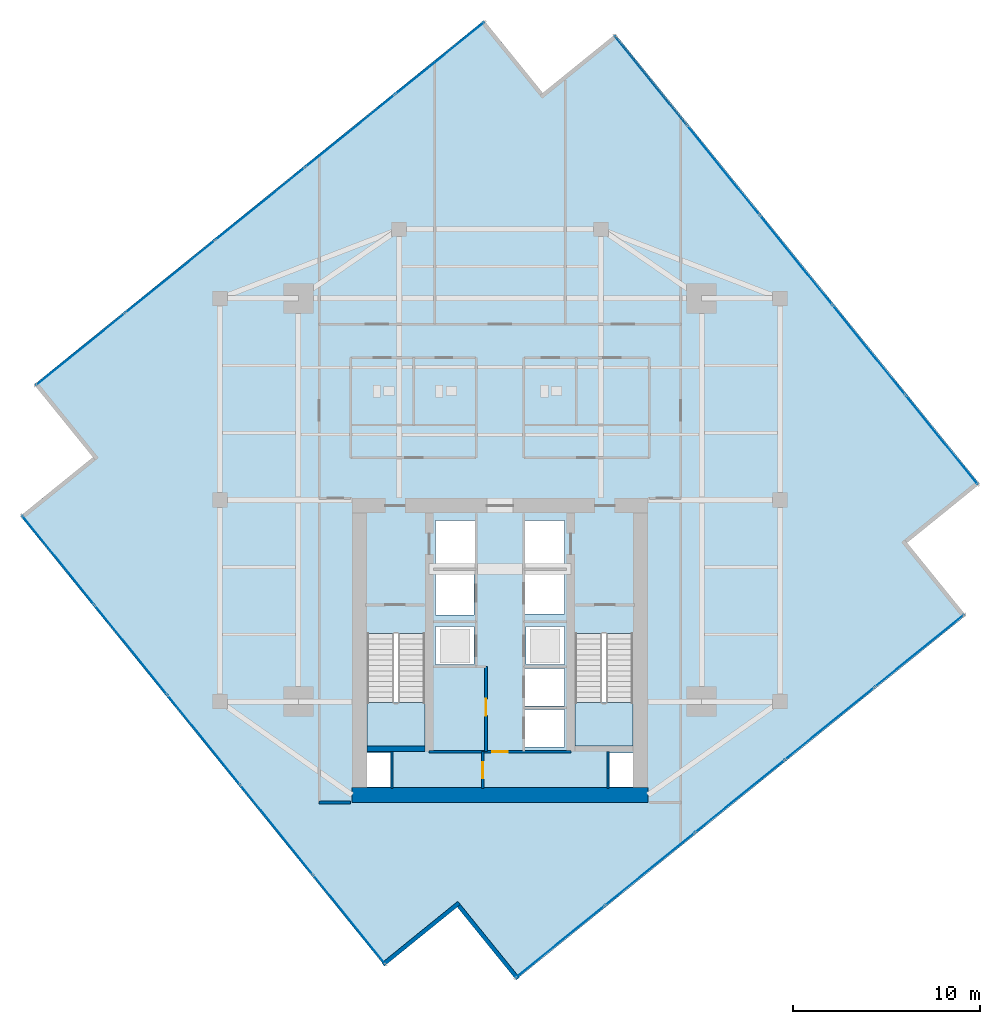
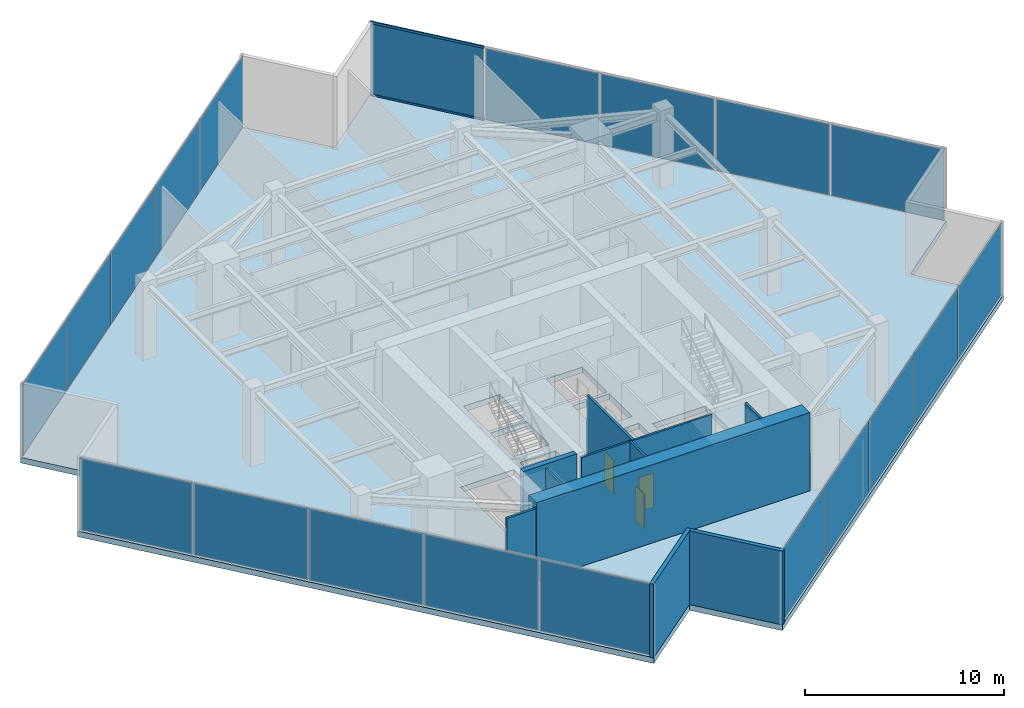
# One storey, part 17 of 22: 20 plates, 10 walls, 3 doors, 3 slabs, 2 members, 3 openings, 6 elements without a shape of their own.
"""IFC4 building model written with IfcOpenShell, lengths in metres."""

from ifc_helpers import new_model, si_unit, direction, frame, frame_2d, origin, origin_2d, place, context, subcontext, project, spatial, polyline, rectangle, hollow_rectangle, outline, extrude, source, transform, mapped, material, layer, layer_set, material_profile, profile_set, type_object, type_shapes, element, fill, aggregate, save


model = new_model("IFC4")

# Units and contexts
model_context = context("Model", 3, precision=1e-05, world=origin(), true_north=direction((0.0, 1.0)))
body_context = subcontext(model_context, "Body", "Model", "MODEL_VIEW")
ifc_project = project(units=[si_unit("LENGTHUNIT", "METRE"), si_unit("AREAUNIT", "SQUARE_METRE"), si_unit("VOLUMEUNIT", "CUBIC_METRE"), si_unit("PLANEANGLEUNIT", "RADIAN"), si_unit("MASSUNIT", "GRAM", prefix="KILO")], contexts=[model_context])

# Site, building, storey
site_placement = place(None, origin())
site = spatial("IfcSite", under=ifc_project, at=site_placement, CompositionType="ELEMENT")
building_placement = place(site_placement, origin())
building = spatial("IfcBuilding", under=site, at=building_placement, Name="Krantzveldt Concourse Tower", CompositionType="ELEMENT")
storey_placement = place(building_placement, frame((0.0, 0.0, 262.60009765625)))
storey = spatial("IfcBuildingStorey", under=building, at=storey_placement, Name="L64", CompositionType="ELEMENT", Elevation=262.60009765625)

# Curtain wall, members
ifc_material_1 = material(Name="Anodised aluminium 6063-T6", Category="aluminium")
curtain_wall_type = type_object("IfcCurtainWallType", Name="CW5", PredefinedType="USERDEFINED", material=ifc_material_1)
curtain_wall_1_placement = place(storey_placement, origin())
curtain_wall_1 = element("IfcCurtainWall", 1, at=curtain_wall_1_placement, inside=storey, type_object=curtain_wall_type, Name="CW-L64-F10", ObjectType="UNITISED CURTAIN WALL", PredefinedType="USERDEFINED")
ifc_material_profile = material_profile(ifc_material_1, hollow_rectangle(XDim=0.070068359375, YDim=0.139892578125, WallThickness=0.0048828125, at=origin_2d()), Name="Anodised aluminium 6063-T6", Category="aluminium")
ifc_profile_set = profile_set([ifc_material_profile], Name="Anodised aluminium 6063-T6 - ALU-TRAN 140x70x5")
member_type = type_object("IfcMemberType", Name="CW-TRN-150", PredefinedType="USERDEFINED", material=ifc_profile_set)
shared_shape_1 = source(origin(), body_context, "Body", "SweptSolid", [
    extrude(hollow_rectangle(XDim=0.070068359375, YDim=0.139892578125, WallThickness=0.0048828125, at=origin_2d()), origin(), (0.0, 0.0, 1.0), 6.094970703125),
])
type_shapes(member_type, [shared_shape_1])
member_1_placement = place(storey_placement, frame((45.98681640625, 46.799072265625, 0.034912109375), z_axis=(-0.629309993119, 0.77715438142, 0.0), x_axis=(-0.77715438142, -0.629309993119, 0.0)))
member_1 = element("IfcMember", 2, at=member_1_placement, type_object=member_type, Name="CW-SKY transom 5.1", ObjectType="TRANSOM", PredefinedType="USERDEFINED", context=body_context, shape_type="MappedRepresentation", body=[
    mapped(shared_shape_1, transform((0.0, 0.0, 0.0), x_axis=(1.0, 0.0, 0.0), y_axis=(0.0, 1.0, 0.0), z_axis=(0.0, 0.0, 1.0), scale=1.0)),
])
member_2_placement = place(storey_placement, frame((45.98681640625, 46.799072265625, 4.48486328125), z_axis=(-0.629309993119, 0.77715438142, 0.0), x_axis=(-0.77715438142, -0.629309993119, 0.0)))
member_2 = element("IfcMember", 3, at=member_2_placement, type_object=member_type, Name="CW-SKY transom 5.2", ObjectType="TRANSOM", PredefinedType="USERDEFINED", context=body_context, shape_type="MappedRepresentation", body=[
    mapped(shared_shape_1, transform((0.0, 0.0, 0.0), x_axis=(1.0, 0.0, 0.0), y_axis=(0.0, 1.0, 0.0), z_axis=(0.0, 0.0, 1.0), scale=1.0)),
])

# Stair, slab
ifc_material_2 = material(Name="Precast concrete C40/50", Category="concrete")
stair_type = type_object("IfcStairType", Name="STR-CORE-DOGLEG", PredefinedType="HALF_TURN_STAIR", material=ifc_material_2)
stair_1_placement = place(storey_placement, origin())
stair_1 = element("IfcStair", 4, at=stair_1_placement, inside=storey, type_object=stair_type, Name="L64 Protected Escape Stair ST-1", PredefinedType="HALF_TURN_STAIR")
ifc_layer_1 = layer(ifc_material_2, 0.199951171875, Name="Precast concrete C40/50", Category="concrete")
ifc_layer_set_1 = layer_set([ifc_layer_1], Name="Precast concrete C40/50 (SL-LANDING-200)")
slab_type_1 = type_object("IfcSlabType", Name="SL-LANDING-200", PredefinedType="LANDING", material=ifc_layer_set_1)
slab_1_placement = place(storey_placement, frame((0.0, 0.0, 2.199951171875)))
slab_1 = element("IfcSlab", 5, at=slab_1_placement, type_object=slab_type_1, Name="ST-1 landing 1", PredefinedType="LANDING", context=body_context, shape_type="SweptSolid", body=[
    extrude(outline(polyline([(28.8798828125, 15.844970703125), (28.8798828125, 13.52001953125), (31.97998046875, 13.52001953125), (31.97998046875, 15.844970703125), (28.8798828125, 15.844970703125)])), origin(), (0.0, 0.0, 1.0), 0.199951171875),
])
aggregate(stair_1, [slab_1])

stair_2_placement = place(storey_placement, origin())
stair_2 = element("IfcStair", 6, at=stair_2_placement, inside=storey, type_object=stair_type, Name="L64 Protected Escape Stair ST-2", PredefinedType="HALF_TURN_STAIR")
slab_2_placement = place(storey_placement, frame((0.0, 0.0, 2.199951171875)))
slab_2 = element("IfcSlab", 7, at=slab_2_placement, type_object=slab_type_1, Name="ST-2 landing 1", PredefinedType="LANDING", context=body_context, shape_type="SweptSolid", body=[
    extrude(outline(polyline([(40.02001953125, 15.844970703125), (40.02001953125, 13.52001953125), (43.1201171875, 13.52001953125), (43.1201171875, 15.844970703125), (40.02001953125, 15.844970703125)])), origin(), (0.0, 0.0, 1.0), 0.199951171875),
])
aggregate(stair_2, [slab_2])

# Slab
ifc_material_3 = material(Name="Concrete C50/60", Category="concrete")
ifc_layer_2 = layer(ifc_material_3, 0.35009765625, Name="Concrete C50/60", Category="concrete")
ifc_layer_set_2 = layer_set([ifc_layer_2], Name="Concrete C50/60 (SL-SL-TRN350)")
slab_type_2 = type_object("IfcSlabType", Name="SL-SL-TRN350", PredefinedType="FLOOR", material=ifc_layer_set_2)
slab_3_placement = place(storey_placement, frame((0.0, 0.0, -0.35009765625)))
element("IfcSlab", 8, at=slab_3_placement, inside=storey, type_object=slab_type_2, Name="SL-L64-MAIN", PredefinedType="FLOOR", context=body_context, shape_type="SweptSolid", body=[
    extrude(outline(polyline([(38.291259765625, 48.500244140625), (35.144775390625, 52.385986328125), (11.05322265625, 32.876953125), (14.19970703125, 28.9912109375), (10.31396484375, 25.8447265625), (29.822998046875, 1.753173828125), (33.708740234375, 4.899658203125), (36.855224609375, 1.01416015625), (60.94677734375, 20.52294921875), (57.80029296875, 24.40869140625), (61.68603515625, 27.555419921875), (42.177001953125, 51.646728515625), (38.291259765625, 48.500244140625)]), holes=[polyline([(28.8798828125, 19.547607421875), (28.8798828125, 13.52001953125), (31.97998046875, 13.52001953125), (31.97998046875, 19.547607421875), (28.8798828125, 19.547607421875)]), polyline([(40.02001953125, 19.547607421875), (40.02001953125, 13.52001953125), (43.1201171875, 13.52001953125), (43.1201171875, 19.547607421875), (40.02001953125, 19.547607421875)]), polyline([(32.550048828125, 23.10009765625), (34.64990234375, 23.10009765625), (34.64990234375, 25.60009765625), (32.550048828125, 25.60009765625), (32.550048828125, 23.10009765625)]), polyline([(37.35009765625, 23.10009765625), (39.449951171875, 23.10009765625), (39.449951171875, 25.60009765625), (37.35009765625, 25.60009765625), (37.35009765625, 23.10009765625)]), polyline([(37.35009765625, 20.60009765625), (39.449951171875, 20.60009765625), (39.449951171875, 22.89990234375), (37.35009765625, 22.89990234375), (37.35009765625, 20.60009765625)]), polyline([(37.35009765625, 13.47998046875), (39.449951171875, 13.47998046875), (39.449951171875, 15.47998046875), (37.35009765625, 15.47998046875), (37.35009765625, 13.47998046875)]), polyline([(37.35009765625, 15.679931640625), (39.449951171875, 15.679931640625), (39.449951171875, 17.679931640625), (37.35009765625, 17.679931640625), (37.35009765625, 15.679931640625)]), polyline([(32.550048828125, 20.550048828125), (34.6201171875, 20.550048828125), (34.6201171875, 22.89990234375), (32.550048828125, 22.89990234375), (32.550048828125, 20.550048828125)]), polyline([(32.550048828125, 17.8798828125), (34.6201171875, 17.8798828125), (34.6201171875, 19.919921875), (32.550048828125, 19.919921875), (32.550048828125, 17.8798828125)]), polyline([(37.3798828125, 17.8798828125), (39.449951171875, 17.8798828125), (39.449951171875, 19.919921875), (37.3798828125, 19.919921875), (37.3798828125, 17.8798828125)]), polyline([(28.8798828125, 11.320068359375), (30.139892578125, 11.320068359375), (30.139892578125, 13.159912109375), (28.8798828125, 13.159912109375), (28.8798828125, 11.320068359375)]), polyline([(41.860107421875, 11.320068359375), (43.1201171875, 11.320068359375), (43.1201171875, 13.159912109375), (41.860107421875, 13.159912109375), (41.860107421875, 11.320068359375)])]), origin(), (0.0, 0.0, 1.0), 0.35009765625),
])

# Curtain wall, plates
curtain_wall_2_placement = place(storey_placement, origin())
curtain_wall_2 = element("IfcCurtainWall", 9, at=curtain_wall_2_placement, inside=storey, type_object=curtain_wall_type, Name="CW-L64-F01", ObjectType="UNITISED CURTAIN WALL", PredefinedType="USERDEFINED")
ifc_material_4 = material(Name="Bronze-tinted laminated low-E IGU glass", Category="glass")
ifc_layer_3 = layer(ifc_material_4, 0.031982421875, Name="Bronze-tinted laminated low-E IGU glass", Category="glass")
ifc_layer_set_3 = layer_set([ifc_layer_3], Name="Bronze-tinted laminated low-E IGU glass (CW-GLZ-32)")
plate_type = type_object("IfcPlateType", Name="CW-GLZ-32", PredefinedType="CURTAIN_PANEL", material=ifc_layer_set_3)
shared_shape_2 = source(origin(), body_context, "Body", "SweptSolid", [
    extrude(rectangle(XDim=6.094970703125, YDim=0.031982421875, at=origin_2d()), origin(), (0.0, 0.0, 1.0), 4.3798828125),
])
plate_1_placement = place(storey_placement, frame((32.778564453125, 50.35400390625, 0.070068359375), z_axis=(0.0, 0.0, 1.0), x_axis=(-0.777145933558, -0.629320425502, 0.0)))
plate_1 = element("IfcPlate", 10, at=plate_1_placement, type_object=plate_type, Name="CW-SKY panel 1.1", PredefinedType="CURTAIN_PANEL", context=body_context, shape_type="MappedRepresentation", body=[
    mapped(shared_shape_2, transform((0.0, 0.0, 0.0), x_axis=(1.0, 0.0, 0.0), y_axis=(0.0, 1.0, 0.0), z_axis=(0.0, 0.0, 1.0), scale=1.0)),
])
plate_2_placement = place(storey_placement, frame((13.532470703125, 34.76904296875, 0.070068359375), z_axis=(0.0, 0.0, 1.0), x_axis=(-0.777145933558, -0.629320425502, 0.0)))
plate_2 = element("IfcPlate", 11, at=plate_2_placement, type_object=plate_type, Name="CW-SKY panel 5.1", PredefinedType="CURTAIN_PANEL", context=body_context, shape_type="MappedRepresentation", body=[
    mapped(shared_shape_2, transform((0.0, 0.0, 0.0), x_axis=(1.0, 0.0, 0.0), y_axis=(0.0, 1.0, 0.0), z_axis=(0.0, 0.0, 1.0), scale=1.0)),
])

curtain_wall_3_placement = place(storey_placement, origin())
curtain_wall_3 = element("IfcCurtainWall", 12, at=curtain_wall_3_placement, inside=storey, type_object=curtain_wall_type, Name="CW-L64-F04", ObjectType="UNITISED CURTAIN WALL", PredefinedType="USERDEFINED")
plate_3_placement = place(storey_placement, frame((12.345947265625, 23.478515625, 0.070068359375), z_axis=(0.0, 0.0, 1.0), x_axis=(0.629320425502, -0.777145933558, 0.0)))
plate_3 = element("IfcPlate", 13, at=plate_3_placement, type_object=plate_type, Name="CW-SKY panel 1.1", PredefinedType="CURTAIN_PANEL", context=body_context, shape_type="MappedRepresentation", body=[
    mapped(shared_shape_2, transform((0.0, 0.0, 0.0), x_axis=(1.0, 0.0, 0.0), y_axis=(0.0, 1.0, 0.0), z_axis=(0.0, 0.0, 1.0), scale=1.0)),
])
plate_4_placement = place(storey_placement, frame((27.930908203125, 4.232666015625, 0.070068359375), z_axis=(0.0, 0.0, 1.0), x_axis=(0.629320425502, -0.777145933558, 0.0)))
plate_4 = element("IfcPlate", 14, at=plate_4_placement, type_object=plate_type, Name="CW-SKY panel 5.1", PredefinedType="CURTAIN_PANEL", context=body_context, shape_type="MappedRepresentation", body=[
    mapped(shared_shape_2, transform((0.0, 0.0, 0.0), x_axis=(1.0, 0.0, 0.0), y_axis=(0.0, 1.0, 0.0), z_axis=(0.0, 0.0, 1.0), scale=1.0)),
])

curtain_wall_4_placement = place(storey_placement, origin())
curtain_wall_4 = element("IfcCurtainWall", 15, at=curtain_wall_4_placement, inside=storey, type_object=curtain_wall_type, Name="CW-L64-F07", ObjectType="UNITISED CURTAIN WALL", PredefinedType="USERDEFINED")
plate_5_placement = place(storey_placement, frame((39.221435546875, 3.0458984375, 0.070068359375), z_axis=(0.0, 0.0, 1.0), x_axis=(0.777145933558, 0.629320425502, 0.0)))
plate_5 = element("IfcPlate", 16, at=plate_5_placement, type_object=plate_type, Name="CW-SKY panel 1.1", PredefinedType="CURTAIN_PANEL", context=body_context, shape_type="MappedRepresentation", body=[
    mapped(shared_shape_2, transform((0.0, 0.0, 0.0), x_axis=(1.0, 0.0, 0.0), y_axis=(0.0, 1.0, 0.0), z_axis=(0.0, 0.0, 1.0), scale=1.0)),
])
plate_6_placement = place(storey_placement, frame((58.467529296875, 18.631103515625, 0.070068359375), z_axis=(0.0, 0.0, 1.0), x_axis=(0.777145933558, 0.629320425502, 0.0)))
plate_6 = element("IfcPlate", 17, at=plate_6_placement, type_object=plate_type, Name="CW-SKY panel 5.1", PredefinedType="CURTAIN_PANEL", context=body_context, shape_type="MappedRepresentation", body=[
    mapped(shared_shape_2, transform((0.0, 0.0, 0.0), x_axis=(1.0, 0.0, 0.0), y_axis=(0.0, 1.0, 0.0), z_axis=(0.0, 0.0, 1.0), scale=1.0)),
])

# Plate
plate_7_placement = place(storey_placement, frame((59.654052734375, 29.92138671875, 0.070068359375), z_axis=(0.0, 0.0, 1.0), x_axis=(-0.629320425502, 0.777145933558, 0.0)))
plate_7 = element("IfcPlate", 18, at=plate_7_placement, type_object=plate_type, Name="CW-SKY panel 1.1", PredefinedType="CURTAIN_PANEL", context=body_context, shape_type="MappedRepresentation", body=[
    mapped(shared_shape_2, transform((0.0, 0.0, 0.0), x_axis=(1.0, 0.0, 0.0), y_axis=(0.0, 1.0, 0.0), z_axis=(0.0, 0.0, 1.0), scale=1.0)),
])

plate_8_placement = place(storey_placement, frame((44.069091796875, 49.16748046875, 0.070068359375), z_axis=(0.0, 0.0, 1.0), x_axis=(-0.629320425502, 0.777145933558, 0.0)))
plate_8 = element("IfcPlate", 19, at=plate_8_placement, type_object=plate_type, Name="CW-SKY panel 5.1", PredefinedType="CURTAIN_PANEL", context=body_context, shape_type="MappedRepresentation", body=[
    mapped(shared_shape_2, transform((0.0, 0.0, 0.0), x_axis=(1.0, 0.0, 0.0), y_axis=(0.0, 1.0, 0.0), z_axis=(0.0, 0.0, 1.0), scale=1.0)),
])

shared_shape_3 = source(origin(), body_context, "Body", "SweptSolid", [
    extrude(rectangle(XDim=6.1298828125, YDim=0.031982421875, at=origin_2d()), origin(), (0.0, 0.0, 1.0), 4.3798828125),
])
type_shapes(plate_type, [shared_shape_2, shared_shape_3])
plate_9_placement = place(storey_placement, frame((27.973876953125, 46.46337890625, 0.070068359375), z_axis=(0.0, 0.0, 1.0), x_axis=(-0.777145933558, -0.629320425502, 0.0)))
plate_9 = element("IfcPlate", 20, at=plate_9_placement, type_object=plate_type, Name="CW-SKY panel 2.1", PredefinedType="CURTAIN_PANEL", context=body_context, shape_type="MappedRepresentation", body=[
    mapped(shared_shape_3, transform((0.0, 0.0, 0.0), x_axis=(1.0, 0.0, 0.0), y_axis=(0.0, 1.0, 0.0), z_axis=(0.0, 0.0, 1.0), scale=1.0)),
])

plate_10_placement = place(storey_placement, frame((23.155517578125, 42.5615234375, 0.070068359375), z_axis=(0.0, 0.0, 1.0), x_axis=(-0.777145933558, -0.629320425502, 0.0)))
plate_10 = element("IfcPlate", 21, at=plate_10_placement, type_object=plate_type, Name="CW-SKY panel 3.1", PredefinedType="CURTAIN_PANEL", context=body_context, shape_type="MappedRepresentation", body=[
    mapped(shared_shape_3, transform((0.0, 0.0, 0.0), x_axis=(1.0, 0.0, 0.0), y_axis=(0.0, 1.0, 0.0), z_axis=(0.0, 0.0, 1.0), scale=1.0)),
])

plate_11_placement = place(storey_placement, frame((18.337158203125, 38.65966796875, 0.070068359375), z_axis=(0.0, 0.0, 1.0), x_axis=(-0.777145933558, -0.629320425502, 0.0)))
plate_11 = element("IfcPlate", 22, at=plate_11_placement, type_object=plate_type, Name="CW-SKY panel 4.1", PredefinedType="CURTAIN_PANEL", context=body_context, shape_type="MappedRepresentation", body=[
    mapped(shared_shape_3, transform((0.0, 0.0, 0.0), x_axis=(1.0, 0.0, 0.0), y_axis=(0.0, 1.0, 0.0), z_axis=(0.0, 0.0, 1.0), scale=1.0)),
])

aggregate(curtain_wall_2, [plate_1, plate_9, plate_10, plate_11, plate_2])

plate_12_placement = place(storey_placement, frame((16.236572265625, 18.673828125, 0.070068359375), z_axis=(0.0, 0.0, 1.0), x_axis=(0.629320425502, -0.777145933558, 0.0)))
plate_12 = element("IfcPlate", 23, at=plate_12_placement, type_object=plate_type, Name="CW-SKY panel 2.1", PredefinedType="CURTAIN_PANEL", context=body_context, shape_type="MappedRepresentation", body=[
    mapped(shared_shape_3, transform((0.0, 0.0, 0.0), x_axis=(1.0, 0.0, 0.0), y_axis=(0.0, 1.0, 0.0), z_axis=(0.0, 0.0, 1.0), scale=1.0)),
])

plate_13_placement = place(storey_placement, frame((20.138427734375, 13.85546875, 0.070068359375), z_axis=(0.0, 0.0, 1.0), x_axis=(0.629320425502, -0.777145933558, 0.0)))
plate_13 = element("IfcPlate", 24, at=plate_13_placement, type_object=plate_type, Name="CW-SKY panel 3.1", PredefinedType="CURTAIN_PANEL", context=body_context, shape_type="MappedRepresentation", body=[
    mapped(shared_shape_3, transform((0.0, 0.0, 0.0), x_axis=(1.0, 0.0, 0.0), y_axis=(0.0, 1.0, 0.0), z_axis=(0.0, 0.0, 1.0), scale=1.0)),
])

plate_14_placement = place(storey_placement, frame((24.040283203125, 9.037353515625, 0.070068359375), z_axis=(0.0, 0.0, 1.0), x_axis=(0.629320425502, -0.777145933558, 0.0)))
plate_14 = element("IfcPlate", 25, at=plate_14_placement, type_object=plate_type, Name="CW-SKY panel 4.1", PredefinedType="CURTAIN_PANEL", context=body_context, shape_type="MappedRepresentation", body=[
    mapped(shared_shape_3, transform((0.0, 0.0, 0.0), x_axis=(1.0, 0.0, 0.0), y_axis=(0.0, 1.0, 0.0), z_axis=(0.0, 0.0, 1.0), scale=1.0)),
])

aggregate(curtain_wall_3, [plate_3, plate_12, plate_13, plate_14, plate_4])

plate_15_placement = place(storey_placement, frame((44.026123046875, 6.936767578125, 0.070068359375), z_axis=(0.0, 0.0, 1.0), x_axis=(0.777145933558, 0.629320425502, 0.0)))
plate_15 = element("IfcPlate", 26, at=plate_15_placement, type_object=plate_type, Name="CW-SKY panel 2.1", PredefinedType="CURTAIN_PANEL", context=body_context, shape_type="MappedRepresentation", body=[
    mapped(shared_shape_3, transform((0.0, 0.0, 0.0), x_axis=(1.0, 0.0, 0.0), y_axis=(0.0, 1.0, 0.0), z_axis=(0.0, 0.0, 1.0), scale=1.0)),
])

plate_16_placement = place(storey_placement, frame((48.844482421875, 10.83837890625, 0.070068359375), z_axis=(0.0, 0.0, 1.0), x_axis=(0.777145933558, 0.629320425502, 0.0)))
plate_16 = element("IfcPlate", 27, at=plate_16_placement, type_object=plate_type, Name="CW-SKY panel 3.1", PredefinedType="CURTAIN_PANEL", context=body_context, shape_type="MappedRepresentation", body=[
    mapped(shared_shape_3, transform((0.0, 0.0, 0.0), x_axis=(1.0, 0.0, 0.0), y_axis=(0.0, 1.0, 0.0), z_axis=(0.0, 0.0, 1.0), scale=1.0)),
])

plate_17_placement = place(storey_placement, frame((53.662841796875, 14.740234375, 0.070068359375), z_axis=(0.0, 0.0, 1.0), x_axis=(0.777145933558, 0.629320425502, 0.0)))
plate_17 = element("IfcPlate", 28, at=plate_17_placement, type_object=plate_type, Name="CW-SKY panel 4.1", PredefinedType="CURTAIN_PANEL", context=body_context, shape_type="MappedRepresentation", body=[
    mapped(shared_shape_3, transform((0.0, 0.0, 0.0), x_axis=(1.0, 0.0, 0.0), y_axis=(0.0, 1.0, 0.0), z_axis=(0.0, 0.0, 1.0), scale=1.0)),
])

aggregate(curtain_wall_4, [plate_5, plate_15, plate_16, plate_17, plate_6])

plate_18_placement = place(storey_placement, frame((55.763427734375, 34.72607421875, 0.070068359375), z_axis=(0.0, 0.0, 1.0), x_axis=(-0.629320425502, 0.777145933558, 0.0)))
plate_18 = element("IfcPlate", 29, at=plate_18_placement, type_object=plate_type, Name="CW-SKY panel 2.1", PredefinedType="CURTAIN_PANEL", context=body_context, shape_type="MappedRepresentation", body=[
    mapped(shared_shape_3, transform((0.0, 0.0, 0.0), x_axis=(1.0, 0.0, 0.0), y_axis=(0.0, 1.0, 0.0), z_axis=(0.0, 0.0, 1.0), scale=1.0)),
])

plate_19_placement = place(storey_placement, frame((51.861572265625, 39.54443359375, 0.070068359375), z_axis=(0.0, 0.0, 1.0), x_axis=(-0.629320425502, 0.777145933558, 0.0)))
plate_19 = element("IfcPlate", 30, at=plate_19_placement, type_object=plate_type, Name="CW-SKY panel 3.1", PredefinedType="CURTAIN_PANEL", context=body_context, shape_type="MappedRepresentation", body=[
    mapped(shared_shape_3, transform((0.0, 0.0, 0.0), x_axis=(1.0, 0.0, 0.0), y_axis=(0.0, 1.0, 0.0), z_axis=(0.0, 0.0, 1.0), scale=1.0)),
])

plate_20_placement = place(storey_placement, frame((47.959716796875, 44.36279296875, 0.070068359375), z_axis=(0.0, 0.0, 1.0), x_axis=(-0.629320425502, 0.777145933558, 0.0)))
plate_20 = element("IfcPlate", 31, at=plate_20_placement, type_object=plate_type, Name="CW-SKY panel 4.1", PredefinedType="CURTAIN_PANEL", context=body_context, shape_type="MappedRepresentation", body=[
    mapped(shared_shape_3, transform((0.0, 0.0, 0.0), x_axis=(1.0, 0.0, 0.0), y_axis=(0.0, 1.0, 0.0), z_axis=(0.0, 0.0, 1.0), scale=1.0)),
])

aggregate(curtain_wall_1, [plate_7, plate_18, plate_19, plate_20, member_1, member_2, plate_8])

# Walls
ifc_layer_4 = layer(ifc_material_1, 0.219970703125, Name="Anodised aluminium 6063-T6", Category="aluminium")
ifc_layer_set_4 = layer_set([ifc_layer_4], Name="Anodised aluminium 6063-T6 (WL-EXT-NOTCH220)")
wall_type_1 = type_object("IfcWallType", Name="WL-EXT-NOTCH220", PredefinedType="ELEMENTEDWALL", material=ifc_layer_set_4)
wall_1_placement = place(storey_placement, frame((29.734375, 1.822998046875, 0.0), z_axis=(0.0, 0.0, 1.0), x_axis=(0.777149472214, 0.629316055602, 0.0)))
element("IfcWall", 32, at=wall_1_placement, inside=storey, type_object=wall_type_1, Name="EW-L64-NCH05", PredefinedType="ELEMENTEDWALL", context=body_context, shape_type="SweptSolid", body=[
    extrude(rectangle(XDim=5.2451171875, YDim=0.219970703125, at=frame_2d((2.62255859375, 0.0))), origin(), (0.0, 0.0, 1.0), 4.52001953125),
])
wall_2_placement = place(storey_placement, frame((33.794189453125, 4.968994140625, 0.0), z_axis=(0.0, 0.0, 1.0), x_axis=(0.629311429887, -0.777153217978, 0.0)))
element("IfcWall", 33, at=wall_2_placement, inside=storey, type_object=wall_type_1, Name="EW-L64-NCH06", PredefinedType="ELEMENTEDWALL", context=body_context, shape_type="SweptSolid", body=[
    extrude(rectangle(XDim=5.025146484375, YDim=0.219970703125, at=frame_2d((2.5126953125, 0.0))), origin(), (0.0, 0.0, 1.0), 4.52001953125),
])

# Wall, opening, door
ifc_material_5 = material(Name="Fire-rated gypsum plasterboard on steel stud", Category="steel")
ifc_layer_5 = layer(ifc_material_5, 0.1201171875, Name="Fire-rated gypsum plasterboard on steel stud", Category="steel")
ifc_layer_set_5 = layer_set([ifc_layer_5], Name="Fire-rated gypsum plasterboard on steel stud (WL-PART-120)")
wall_type_2 = type_object("IfcWallType", Name="WL-PART-120", PredefinedType="PARTITIONING", material=ifc_layer_set_5)
wall_3_placement = place(storey_placement, frame((32.2099609375, 13.219970703125, 0.0), z_axis=(0.0, 0.0, 1.0), x_axis=(1.0, 0.0, 0.0)))
wall_3 = element("IfcWall", 34, at=wall_3_placement, inside=storey, type_object=wall_type_2, Name="WP-L64-CS2H", PredefinedType="PARTITIONING", context=body_context, shape_type="SweptSolid", body=[
    extrude(rectangle(XDim=7.580078125, YDim=0.1201171875, at=frame_2d((3.7900390625, 0.0))), origin(), (0.0, 0.0, 1.0), 4.52001953125),
])
opening_1_placement = place(wall_3_placement, frame((3.364990234375, 0.0, 0.0)))
opening_1 = element("IfcOpeningElement", 35, at=opening_1_placement, cuts=wall_3, Name="Opening D-IN085", PredefinedType="OPENING", context=body_context, shape_type="SweptSolid", body=[
    extrude(rectangle(XDim=0.85009765625, YDim=2.10009765625, at=frame_2d((0.425048828125, 1.050048828125))), frame((0.0, 0.070068359375, 0.0), z_axis=(0.0, -1.0, 0.0), x_axis=(1.0, 0.0, 0.0)), (0.0, 0.0, 1.0), 0.14013671875),
])
ifc_material_6 = material(Name="Hardwood timber", Category="wood")
door_type_1 = type_object("IfcDoorType", Name="DR-INT-850", OperationType="SINGLE_SWING_LEFT", PredefinedType="DOOR", material=ifc_material_6)
door_1_placement = place(opening_1_placement, origin())
door_1 = element("IfcDoor", 36, at=door_1_placement, inside=storey, type_object=door_type_1, Name="DR-L64-LLBS", OperationType="SINGLE_SWING_RIGHT", OverallHeight=2.10009765625, OverallWidth=0.85009765625, PredefinedType="DOOR", context=body_context, shape_type="SweptSolid", body=[
    extrude(rectangle(XDim=0.85009765625, YDim=2.10009765625, at=frame_2d((0.425048828125, 1.050048828125))), frame((0.0, 0.02490234375, 0.0), z_axis=(0.0, -1.0, 0.0), x_axis=(1.0, 0.0, 0.0)), (0.0, 0.0, 1.0), 0.050048828125),
])
fill(opening_1, door_1)

wall_4_placement = place(storey_placement, frame((35.080078125, 11.25, 0.0), z_axis=(0.0, 0.0, 1.0), x_axis=(0.0, 1.0, 0.0)))
wall_4 = element("IfcWall", 37, at=wall_4_placement, inside=storey, type_object=wall_type_2, Name="WP-L64-CSA-V", PredefinedType="PARTITIONING", context=body_context, shape_type="SweptSolid", body=[
    extrude(rectangle(XDim=1.969970703125, YDim=0.1201171875, at=frame_2d((0.98486328125, 0.0))), origin(), (0.0, 0.0, 1.0), 4.52001953125),
])
opening_2_placement = place(wall_4_placement, frame((0.544921875, 0.0, 0.0)))
opening_2 = element("IfcOpeningElement", 38, at=opening_2_placement, cuts=wall_4, Name="Opening D-IN085", PredefinedType="OPENING", context=body_context, shape_type="SweptSolid", body=[
    extrude(rectangle(XDim=0.85009765625, YDim=2.10009765625, at=frame_2d((0.425048828125, 1.050048828125))), frame((0.0, 0.070068359375, 0.0), z_axis=(0.0, -1.0, 0.0), x_axis=(1.0, 0.0, 0.0)), (0.0, 0.0, 1.0), 0.14013671875),
])
door_2_placement = place(opening_2_placement, origin())
door_2 = element("IfcDoor", 39, at=door_2_placement, inside=storey, type_object=door_type_1, Name="DR-L64-CSA1", OperationType="SINGLE_SWING_LEFT", OverallHeight=2.10009765625, OverallWidth=0.85009765625, PredefinedType="DOOR", context=body_context, shape_type="SweptSolid", body=[
    extrude(rectangle(XDim=0.85009765625, YDim=2.10009765625, at=frame_2d((0.425048828125, 1.050048828125))), frame((0.0, 0.02490234375, 0.0), z_axis=(0.0, -1.0, 0.0), x_axis=(1.0, 0.0, 0.0)), (0.0, 0.0, 1.0), 0.050048828125),
])
fill(opening_2, door_2)

# Wall
ifc_layer_6 = layer(ifc_material_5, 0.139892578125, Name="Fire-rated gypsum plasterboard on steel stud", Category="steel")
ifc_layer_set_6 = layer_set([ifc_layer_6], Name="Fire-rated gypsum plasterboard on steel stud (WL-PART-140)")
wall_type_3 = type_object("IfcWallType", Name="WL-PART-140", PredefinedType="PARTITIONING", material=ifc_layer_set_6)
wall_5_placement = place(storey_placement, frame((26.320068359375, 10.5, 0.0), z_axis=(0.0, 0.0, 1.0), x_axis=(1.0, 0.0, 0.0)))
element("IfcWall", 40, at=wall_5_placement, inside=storey, type_object=wall_type_3, Name="WP-L64-SWT", PredefinedType="PARTITIONING", context=body_context, shape_type="SweptSolid", body=[
    extrude(rectangle(XDim=1.679931640625, YDim=0.139892578125, at=frame_2d((0.83984375, 0.0))), origin(), (0.0, 0.0, 1.0), 4.52001953125),
])

# Wall, opening, door
ifc_layer_7 = layer(ifc_material_5, 0.139892578125, Name="Fire-rated gypsum plasterboard on steel stud", Category="steel")
ifc_layer_set_7 = layer_set([ifc_layer_7], Name="Fire-rated gypsum plasterboard on steel stud (WL-PART-FR140)")
wall_type_4 = type_object("IfcWallType", Name="WL-PART-FR140", PredefinedType="PARTITIONING", material=ifc_layer_set_7)
wall_6_placement = place(storey_placement, frame((35.25, 13.219970703125, 0.0), z_axis=(0.0, 0.0, 1.0), x_axis=(0.0, 1.0, 0.0)))
wall_6 = element("IfcWall", 41, at=wall_6_placement, inside=storey, type_object=wall_type_4, Name="WP-L64-RECW", PredefinedType="PARTITIONING", context=body_context, shape_type="SweptSolid", body=[
    extrude(rectangle(XDim=4.56005859375, YDim=0.139892578125, at=frame_2d((2.280029296875, 0.0))), origin(), (0.0, 0.0, 1.0), 4.52001953125),
])
opening_3_placement = place(wall_6_placement, frame((1.929931640625, 0.0, 0.0)))
opening_3 = element("IfcOpeningElement", 42, at=opening_3_placement, cuts=wall_6, Name="Opening D-FD090", PredefinedType="OPENING", context=body_context, shape_type="SweptSolid", body=[
    extrude(rectangle(XDim=0.89990234375, YDim=2.10009765625, at=frame_2d((0.449951171875, 1.050048828125))), frame((0.0, 0.080078125, 0.0), z_axis=(0.0, -1.0, 0.0), x_axis=(1.0, 0.0, 0.0)), (0.0, 0.0, 1.0), 0.159912109375),
])
door_type_2 = type_object("IfcDoorType", Name="DR-FD60-900", OperationType="SINGLE_SWING_LEFT", PredefinedType="DOOR", material=ifc_material_6)
door_3_placement = place(opening_3_placement, origin())
door_3 = element("IfcDoor", 43, at=door_3_placement, inside=storey, type_object=door_type_2, Name="DR-L64-RECW", OperationType="SINGLE_SWING_LEFT", OverallHeight=2.10009765625, OverallWidth=0.89990234375, PredefinedType="DOOR", context=body_context, shape_type="SweptSolid", body=[
    extrude(rectangle(XDim=0.89990234375, YDim=2.10009765625, at=frame_2d((0.449951171875, 1.050048828125))), frame((0.0, 0.02490234375, 0.0), z_axis=(0.0, -1.0, 0.0), x_axis=(1.0, 0.0, 0.0)), (0.0, 0.0, 1.0), 0.050048828125),
])
fill(opening_3, door_3)

# Walls
for number, where, z_axis, x_axis, name in (
    (44, (30.219970703125, 11.25, 0.0), (0.0, 0.0, 1.0), (0.0, 1.0, 0.0), "WP-L64-RSW"),
    (45, (41.780029296875, 11.25, 0.0), (0.0, 0.0, 1.0), (0.0, 1.0, 0.0), "WP-L64-RSE"),
):
    element("IfcWall", number, at=place(storey_placement, frame(where, z_axis=z_axis, x_axis=x_axis)), inside=storey, type_object=wall_type_4, Name=name, PredefinedType="PARTITIONING", context=body_context, shape_type="SweptSolid", body=[
        extrude(rectangle(XDim=1.969970703125, YDim=0.1201171875, at=frame_2d((0.98486328125, 0.0))), origin(), (0.0, 0.0, 1.0), 4.52001953125),
    ])
ifc_layer_8 = layer(ifc_material_3, 0.300048828125, Name="Concrete C50/60", Category="concrete")
ifc_layer_set_8 = layer_set([ifc_layer_8], Name="Concrete C50/60 (WL-SHEAR-300)")
wall_type_5 = type_object("IfcWallType", Name="WL-SHEAR-300", PredefinedType="SHEAR", material=ifc_layer_set_8)
wall_7_placement = place(storey_placement, frame((28.8798828125, 13.3701171875, 0.0), z_axis=(0.0, 0.0, 1.0), x_axis=(1.0, 0.0, 0.0)))
element("IfcWall", 46, at=wall_7_placement, inside=storey, type_object=wall_type_5, Name="CW-L64-ST1S", PredefinedType="SHEAR", context=body_context, shape_type="SweptSolid", body=[
    extrude(rectangle(XDim=3.10009765625, YDim=0.300048828125, at=frame_2d((1.550048828125, 0.0))), origin(), (0.0, 0.0, 1.0), 4.7998046875),
])
ifc_material_7 = material(Name="Concrete C60/75", Category="concrete")
ifc_layer_9 = layer(ifc_material_7, 0.800048828125, Name="Concrete C60/75", Category="concrete")
ifc_layer_set_9 = layer_set([ifc_layer_9], Name="Concrete C60/75 (WL-SHEAR-800)")
wall_type_6 = type_object("IfcWallType", Name="WL-SHEAR-800", PredefinedType="SHEAR", material=ifc_layer_set_9)
wall_8_placement = place(storey_placement, frame((28.080078125, 10.89990234375, 0.0), z_axis=(0.0, 0.0, 1.0), x_axis=(1.0, 0.0, 0.0)))
element("IfcWall", 47, at=wall_8_placement, inside=storey, type_object=wall_type_6, Name="CW-L64-S", PredefinedType="SHEAR", context=body_context, shape_type="SweptSolid", body=[
    extrude(rectangle(XDim=15.83984375, YDim=0.800048828125, at=frame_2d((7.919921875, 0.0))), origin(), (0.0, 0.0, 1.0), 4.7998046875),
])

save(model, "model.ifc")
